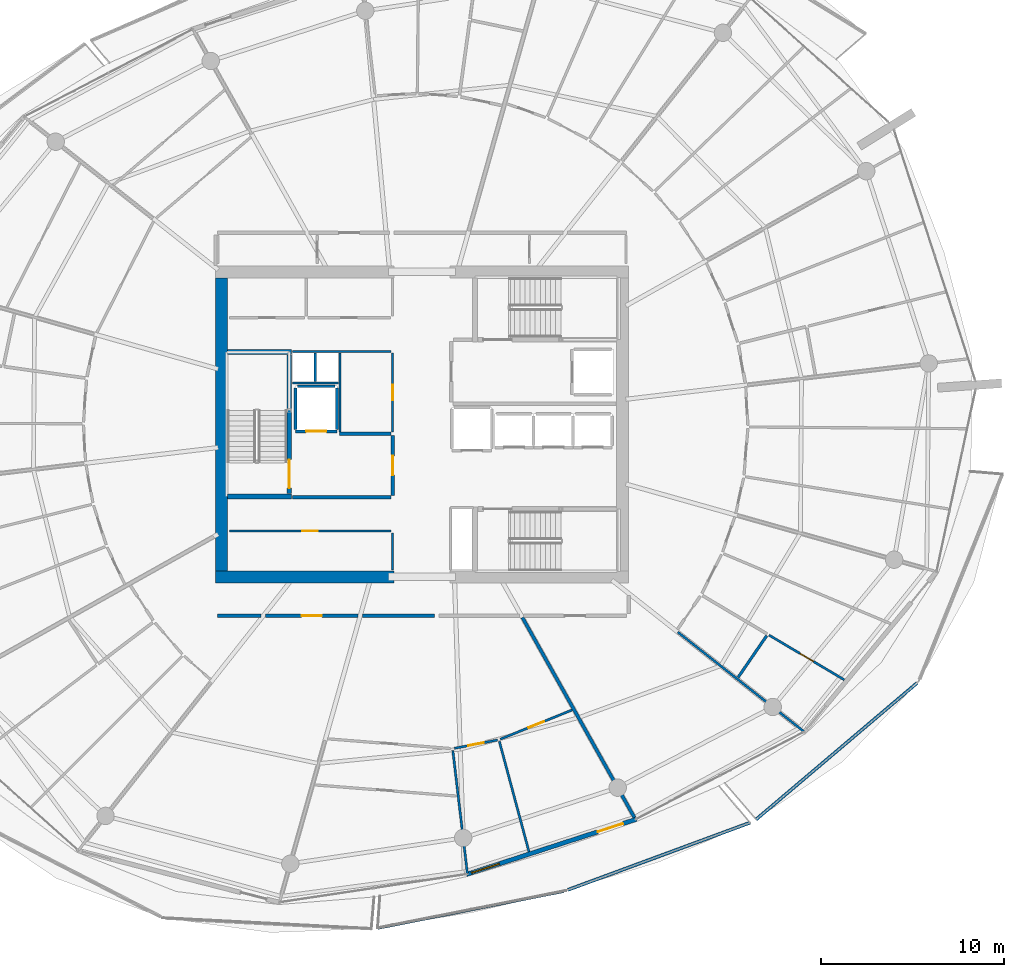
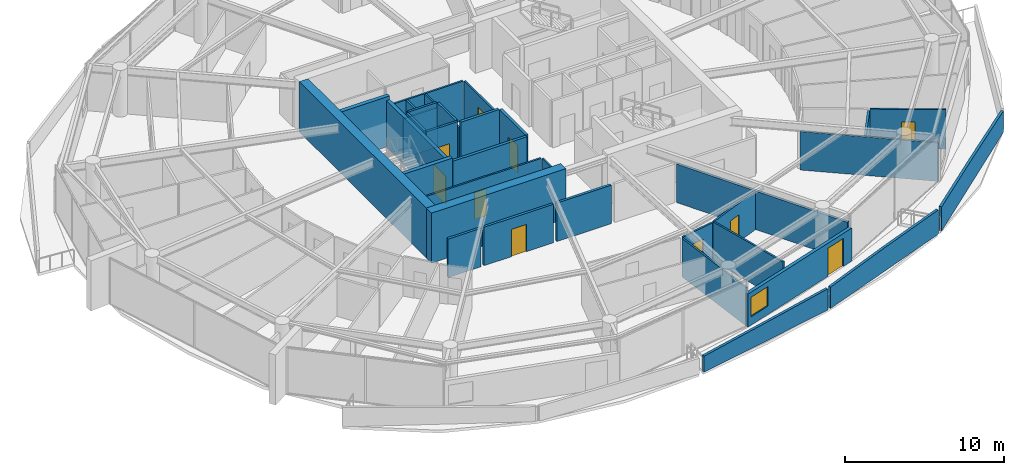
# One storey, part 18 of 30: 34 walls, 10 doors, 1 window, 11 openings.
"""IFC4 building model written with IfcOpenShell, lengths in metres."""

from ifc_helpers import new_model, si_unit, direction, frame, frame_2d, origin, place, context, subcontext, project, spatial, polyline, rectangle, outline, extrude, material, layer, layer_set, type_object, element, fill, save


model = new_model("IFC4")

# Units and contexts
model_context = context("Model", 3, precision=1e-05, world=origin(), true_north=direction((0.0, 1.0)))
body_context = subcontext(model_context, "Body", "Model", "MODEL_VIEW")
ifc_project = project(units=[si_unit("LENGTHUNIT", "METRE"), si_unit("AREAUNIT", "SQUARE_METRE"), si_unit("VOLUMEUNIT", "CUBIC_METRE"), si_unit("PLANEANGLEUNIT", "RADIAN"), si_unit("MASSUNIT", "GRAM", prefix="KILO")], contexts=[model_context])

# Site, building, storey
site_placement = place(None, origin())
site = spatial("IfcSite", under=ifc_project, at=site_placement, CompositionType="ELEMENT")
building_placement = place(site_placement, origin())
building = spatial("IfcBuilding", under=site, at=building_placement, Name="Kazma Halo Residences", CompositionType="ELEMENT")
storey_placement = place(building_placement, frame((0.0, 0.0, 255.949951171875)))
storey = spatial("IfcBuildingStorey", under=building, at=storey_placement, Name="L64", CompositionType="ELEMENT", Elevation=255.949951171875)

# Walls
ifc_material_1 = material(Name="White Concrete C50/60 Balustrade", Category="concrete")
ifc_layer_1 = layer(ifc_material_1, 0.179931640625)
ifc_layer_set_1 = layer_set([ifc_layer_1], Name="White Concrete C50/60 Balustrade")
wall_type_1 = type_object("IfcWallType", Name="WL-BAL-WAVE-180", PredefinedType="PARAPET", material=ifc_layer_set_1)
wall_1_placement = place(storey_placement, frame((46.005615234375, 14.513916015625, 0.0), z_axis=(0.0, 0.0, 1.0), x_axis=(0.980919619001, 0.194413736807, 0.0)))
element("IfcWall", 1, at=wall_1_placement, inside=storey, type_object=wall_type_1, Name="L64 white wave balustrade wall SSE.1", PredefinedType="PARAPET", context=body_context, shape_type="SweptSolid", body=[
    extrude(outline(polyline([(0.0, 0.0), (10.34375, 0.0), (10.34375, 1.632080078125), (5.171875, 1.41796875), (0.0, 1.233154296875), (0.0, 0.0)])), frame((0.0, 0.08984375, 0.0), z_axis=(0.0, -1.0, 0.0), x_axis=(1.0, 0.0, 0.0)), (0.0, 0.0, 1.0), 0.179931640625),
])
wall_2_placement = place(storey_placement, frame((56.38232421875, 16.589599609375, 0.0), z_axis=(0.0, 0.0, 1.0), x_axis=(0.938191788678, 0.346115829828, 0.0)))
element("IfcWall", 2, at=wall_2_placement, inside=storey, type_object=wall_type_1, Name="L64 white wave balustrade wall SSE.2", PredefinedType="PARAPET", context=body_context, shape_type="SweptSolid", body=[
    extrude(outline(polyline([(0.0, 0.0), (10.61083984375, 0.0), (10.61083984375, 1.860107421875), (5.305419921875, 1.798095703125), (0.0, 1.632080078125), (0.0, 0.0)])), frame((0.0, 0.08984375, 0.0), z_axis=(0.0, -1.0, 0.0), x_axis=(1.0, 0.0, 0.0)), (0.0, 0.0, 1.0), 0.179931640625),
])
wall_3_placement = place(storey_placement, frame((66.65234375, 20.428955078125, 0.0), z_axis=(0.0, 0.0, 1.0), x_axis=(0.762735629532, 0.646710413896, 0.0)))
element("IfcWall", 3, at=wall_3_placement, inside=storey, type_object=wall_type_1, Name="L64 white wave balustrade wall SE.1", PredefinedType="PARAPET", context=body_context, shape_type="SweptSolid", body=[
    extrude(outline(polyline([(0.0, 0.0), (11.53515625, 0.0), (11.53515625, 1.632080078125), (5.767578125, 1.798095703125), (0.0, 1.860107421875), (0.0, 0.0)])), frame((0.0, 0.08984375, 0.0), z_axis=(0.0, -1.0, 0.0), x_axis=(1.0, 0.0, 0.0)), (0.0, 0.0, 1.0), 0.179931640625),
])
ifc_material_2 = material(Name="Concrete C60/75", Category="concrete")
ifc_layer_2 = layer(ifc_material_2, 0.64990234375)
ifc_layer_set_2 = layer_set([ifc_layer_2], Name="Concrete C60/75")
wall_type_2 = type_object("IfcWallType", Name="WL-CORE-650", PredefinedType="SHEAR", material=ifc_layer_set_2)
wall_4_placement = place(storey_placement, frame((37.14990234375, 33.675048828125, 0.0), z_axis=(0.0, 0.0, 1.0), x_axis=(1.0, 0.0, 0.0)))
element("IfcWall", 4, at=wall_4_placement, inside=storey, type_object=wall_type_2, Name="L64 central core shear wall SW", PredefinedType="SHEAR", context=body_context, shape_type="SweptSolid", body=[
    extrude(rectangle(XDim=9.75, YDim=0.64990234375, at=frame_2d((4.875, 0.0))), origin(), (0.0, 0.0, 1.0), 3.85009765625),
])
wall_5_placement = place(storey_placement, frame((37.47509765625, 34.0, 0.0), z_axis=(0.0, 0.0, 1.0), x_axis=(0.0, 1.0, 0.0)))
element("IfcWall", 5, at=wall_5_placement, inside=storey, type_object=wall_type_2, Name="L64 central core shear wall W", PredefinedType="SHEAR", context=body_context, shape_type="SweptSolid", body=[
    extrude(rectangle(XDim=16.0, YDim=0.64990234375, at=frame_2d((8.0, 0.0))), origin(), (0.0, 0.0, 1.0), 3.85009765625),
])
ifc_layer_3 = layer(ifc_material_2, 0.280029296875)
ifc_layer_set_3 = layer_set([ifc_layer_3], Name="Concrete C60/75")
wall_type_3 = type_object("IfcWallType", Name="WL-CORE-ST-280", PredefinedType="SHEAR", material=ifc_layer_set_3)
for number, where, z_axis, x_axis, name in (
    (6, (37.800048828125, 38.06005859375, 0.0), (0.0, 0.0, 1.0), (1.0, 0.0, 0.0), "L64 stairwell bearing wall ST01-S"),
    (7, (37.800048828125, 45.93994140625, 0.0), (0.0, 0.0, 1.0), (1.0, 0.0, 0.0), "L64 stairwell bearing wall ST01-N"),
):
    element("IfcWall", number, at=place(storey_placement, frame(where, z_axis=z_axis, x_axis=x_axis)), inside=storey, type_object=wall_type_3, Name=name, PredefinedType="SHEAR", context=body_context, shape_type="SweptSolid", body=[
        extrude(rectangle(XDim=3.5, YDim=0.280029296875, at=frame_2d((1.75, 0.0))), origin(), (0.0, 0.0, 1.0), 3.85009765625),
    ])
ifc_material_3 = material(Name="Acoustic Twin-Stud Gypsum")
ifc_layer_4 = layer(ifc_material_3, 0.179931640625)
ifc_layer_set_4 = layer_set([ifc_layer_4], Name="Acoustic Twin-Stud Gypsum")
wall_type_4 = type_object("IfcWallType", Name="WL-DEM-180", PredefinedType="PARTITIONING", material=ifc_layer_set_4)
wall_6_placement = place(storey_placement, frame((53.906005859375, 31.4541015625, 0.0), z_axis=(0.0, 0.0, 1.0), x_axis=(0.48862654941, -0.872493034477, 0.0)))
element("IfcWall", 8, at=wall_6_placement, inside=storey, type_object=wall_type_4, Name="L64 apartment demising radial wall 12", PredefinedType="PARTITIONING", context=body_context, shape_type="SweptSolid", body=[
    extrude(rectangle(XDim=12.507568359375, YDim=0.179931640625, at=frame_2d((6.25390625, 0.0))), origin(), (0.0, 0.0, 1.0), 2.95703125),
])

# Wall, opening, door
wall_7_placement = place(storey_placement, frame((39.8818359375, 31.550048828125, 0.0), z_axis=(0.0, 0.0, 1.0), x_axis=(1.0, 0.0, 0.0)))
wall_7 = element("IfcWall", 9, at=wall_7_placement, inside=storey, type_object=wall_type_4, Name="L64 Apartment 2 entrance corridor wall", PredefinedType="PARTITIONING", context=body_context, shape_type="SweptSolid", body=[
    extrude(rectangle(XDim=5.051025390625, YDim=0.179931640625, at=frame_2d((2.525390625, 0.0))), origin(), (0.0, 0.0, 1.0), 2.95703125),
])
opening_1_placement = place(wall_7_placement, frame((1.975341796875, 0.0, 0.0)))
opening_1 = element("IfcOpeningElement", 10, at=opening_1_placement, cuts=wall_7, Name="Opening DA-1100", PredefinedType="OPENING", context=body_context, shape_type="SweptSolid", body=[
    extrude(rectangle(XDim=1.10009765625, YDim=2.10009765625, at=frame_2d((0.550048828125, 1.050048828125))), frame((0.0, 0.099853515625, 0.0), z_axis=(0.0, -1.0, 0.0), x_axis=(1.0, 0.0, 0.0)), (0.0, 0.0, 1.0), 0.199951171875),
])
ifc_material_4 = material(Name="Acoustic Walnut Fire Leaf")
door_type_1 = type_object("IfcDoorType", Name="DR-FD60-1100", OperationType="NOTDEFINED", PredefinedType="DOOR", material=ifc_material_4)
door_1_placement = place(opening_1_placement, origin())
door_1 = element("IfcDoor", 11, at=door_1_placement, inside=storey, type_object=door_type_1, Name="L64 Apartment 2 entrance fire door", OperationType="SINGLE_SWING_LEFT", OverallHeight=2.10009765625, OverallWidth=1.10009765625, PredefinedType="DOOR", context=body_context, shape_type="SweptSolid", body=[
    extrude(rectangle(XDim=1.10009765625, YDim=2.10009765625, at=frame_2d((0.550048828125, 1.050048828125))), frame((0.0, 0.02490234375, 0.0), z_axis=(0.0, -1.0, 0.0), x_axis=(1.0, 0.0, 0.0)), (0.0, 0.0, 1.0), 0.050048828125),
])
fill(opening_1, door_1)

# Walls
wall_8_placement = place(storey_placement, frame((37.27001953125, 31.550048828125, 0.0), z_axis=(0.0, 0.0, 1.0), x_axis=(1.0, 0.0, 0.0)))
element("IfcWall", 12, at=wall_8_placement, inside=storey, type_object=wall_type_4, Name="L64 Apartment 2 inner wall 8", PredefinedType="PARTITIONING", context=body_context, shape_type="SweptSolid", body=[
    extrude(rectangle(XDim=2.371826171875, YDim=0.179931640625, at=frame_2d((1.18603515625, 0.0))), origin(), (0.0, 0.0, 1.0), 2.95703125),
])
wall_9_placement = place(storey_placement, frame((45.1728515625, 31.550048828125, 0.0), z_axis=(0.0, 0.0, 1.0), x_axis=(1.0, 0.0, 0.0)))
element("IfcWall", 13, at=wall_9_placement, inside=storey, type_object=wall_type_4, Name="L64 Apartment 2 inner wall 10", PredefinedType="PARTITIONING", context=body_context, shape_type="SweptSolid", body=[
    extrude(rectangle(XDim=3.94384765625, YDim=0.179931640625, at=frame_2d((1.971923828125, 0.0))), origin(), (0.0, 0.0, 1.0), 2.95703125),
])

# Wall, openings, door, window
ifc_material_5 = material(Name="Insulated Pale-Metal Composite Wall")
ifc_layer_5 = layer(ifc_material_5, 0.239990234375)
ifc_layer_set_5 = layer_set([ifc_layer_5], Name="Insulated Pale-Metal Composite Wall")
wall_type_5 = type_object("IfcWallType", Name="WL-EXT-HOST-240", PredefinedType="SOLIDWALL", material=ifc_layer_set_5)
wall_10_placement = place(storey_placement, frame((50.85791015625, 17.436279296875, 0.0), z_axis=(0.0, 0.0, 1.0), x_axis=(0.951055974609, 0.309018661507, 0.0)))
wall_10 = element("IfcWall", 14, at=wall_10_placement, inside=storey, type_object=wall_type_5, Name="L64 exterior terrace-access wall B12", PredefinedType="SOLIDWALL", context=body_context, shape_type="SweptSolid", body=[
    extrude(rectangle(XDim=9.745361328125, YDim=0.239990234375, at=frame_2d((4.87255859375, 0.0))), origin(), (0.0, 0.0, 1.0), 2.5400390625),
])
opening_2_placement = place(wall_10_placement, frame((7.525390625, 0.0, 0.0)))
opening_2 = element("IfcOpeningElement", 15, at=opening_2_placement, cuts=wall_10, Name="Opening DTR-1600", PredefinedType="OPENING", context=body_context, shape_type="SweptSolid", body=[
    extrude(rectangle(XDim=1.449951171875, YDim=2.14990234375, at=frame_2d((0.72509765625, 1.074951171875))), frame((0.0, 0.1298828125, 0.0), z_axis=(0.0, -1.0, 0.0), x_axis=(1.0, 0.0, 0.0)), (0.0, 0.0, 1.0), 0.260009765625),
])
opening_3_placement = place(wall_10_placement, frame((0.280029296875, 0.0, 0.64990234375)))
opening_3 = element("IfcOpeningElement", 16, at=opening_3_placement, cuts=wall_10, Name="Opening W-1800", PredefinedType="OPENING", context=body_context, shape_type="SweptSolid", body=[
    extrude(rectangle(XDim=1.60009765625, YDim=1.5, at=frame_2d((0.800048828125, 0.75))), frame((0.0, 0.1298828125, 0.0), z_axis=(0.0, -1.0, 0.0), x_axis=(1.0, 0.0, 0.0)), (0.0, 0.0, 1.0), 0.260009765625),
])
ifc_material_6 = material(Name="Aluminium AW-6063 T6 Double-Glazed Terrace Door", Category="aluminium")
door_type_2 = type_object("IfcDoorType", Name="DR-EXT-TERR-1600", OperationType="NOTDEFINED", PredefinedType="DOOR", material=ifc_material_6)
door_2_placement = place(opening_2_placement, origin())
door_2 = element("IfcDoor", 17, at=door_2_placement, inside=storey, type_object=door_type_2, Name="L64 B12 balcony terrace door", OperationType="DOUBLE_DOOR_SLIDING", OverallHeight=2.14990234375, OverallWidth=1.449951171875, PredefinedType="DOOR", context=body_context, shape_type="SweptSolid", body=[
    extrude(rectangle(XDim=1.449951171875, YDim=2.14990234375, at=frame_2d((0.72509765625, 1.074951171875))), frame((0.0, 0.02490234375, 0.0), z_axis=(0.0, -1.0, 0.0), x_axis=(1.0, 0.0, 0.0)), (0.0, 0.0, 1.0), 0.050048828125),
])
fill(opening_2, door_2)
ifc_material_7 = material(Name="Clear Triple-Silver Low-E Glass in Aluminium AW-6063 T6 Frame", Category="aluminium")
window_type = type_object("IfcWindowType", Name="WIN-RES-1800", PartitioningType="DOUBLE_PANEL_VERTICAL", PredefinedType="WINDOW", material=ifc_material_7)
window_placement = place(opening_3_placement, origin())
window = element("IfcWindow", 18, at=window_placement, inside=storey, type_object=window_type, Name="L64 B12 apartment window", OverallHeight=1.5, OverallWidth=1.60009765625, PartitioningType="SINGLE_PANEL", PredefinedType="WINDOW", context=body_context, shape_type="SweptSolid", body=[
    extrude(rectangle(XDim=1.60009765625, YDim=1.5, at=frame_2d((0.800048828125, 0.75))), frame((0.0, 0.030029296875, 0.0), z_axis=(0.0, -1.0, 0.0), x_axis=(1.0, 0.0, 0.0)), (0.0, 0.0, 1.0), 0.06005859375),
])
fill(opening_3, window)

# Wall, opening, door
ifc_material_8 = material(Name="Fire-Rated Blockwork Masonry", Category="masonry")
ifc_layer_6 = layer(ifc_material_8, 0.199951171875)
ifc_layer_set_6 = layer_set([ifc_layer_6], Name="Fire-Rated Blockwork Masonry")
wall_type_6 = type_object("IfcWallType", Name="WL-FLB-200", PredefinedType="PARTITIONING", material=ifc_layer_set_6)
wall_11_placement = place(storey_placement, frame((43.780029296875, 41.6201171875, 0.0), z_axis=(0.0, 0.0, 1.0), x_axis=(-1.0, 0.0, 0.0)))
wall_11 = element("IfcWall", 19, at=wall_11_placement, inside=storey, type_object=wall_type_6, Name="L64 lift shaft FL-01 front wall", PredefinedType="PARTITIONING", context=body_context, shape_type="SweptSolid", body=[
    extrude(rectangle(XDim=2.260009765625, YDim=0.159912109375, at=frame_2d((1.1298828125, 0.0))), origin(), (0.0, 0.0, 1.0), 3.590087890625),
])
opening_4_placement = place(wall_11_placement, frame((0.580078125, 0.0, 0.0)))
opening_4 = element("IfcOpeningElement", 20, at=opening_4_placement, cuts=wall_11, Name="Opening LD-FL-01", PredefinedType="OPENING", context=body_context, shape_type="SweptSolid", body=[
    extrude(rectangle(XDim=1.10009765625, YDim=2.10009765625, at=frame_2d((0.550048828125, 1.050048828125))), frame((0.0, 0.08984375, 0.0), z_axis=(0.0, -1.0, 0.0), x_axis=(1.0, 0.0, 0.0)), (0.0, 0.0, 1.0), 0.179931640625),
])
ifc_material_9 = material(Name="Stainless Steel Fire-Rated", Category="steel")
door_type_3 = type_object("IfcDoorType", Name="DR-LIFT-SLD-1100", OperationType="DOUBLE_DOOR_SLIDING", PredefinedType="DOOR", material=ifc_material_9)
door_3_placement = place(opening_4_placement, origin())
door_3 = element("IfcDoor", 21, at=door_3_placement, inside=storey, type_object=door_type_3, Name="L64 lift FL-01 sliding landing door", OperationType="DOUBLE_DOOR_SLIDING", OverallHeight=2.10009765625, OverallWidth=1.10009765625, PredefinedType="DOOR", context=body_context, shape_type="SweptSolid", body=[
    extrude(rectangle(XDim=1.10009765625, YDim=2.10009765625, at=frame_2d((0.550048828125, 1.050048828125))), frame((0.0, 0.02490234375, 0.0), z_axis=(0.0, -1.0, 0.0), x_axis=(1.0, 0.0, 0.0)), (0.0, 0.0, 1.0), 0.050048828125),
])
fill(opening_4, door_3)

# Walls
for number, where, z_axis, x_axis, name in (
    (22, (43.780029296875, 41.719970703125, 0.0), (0.0, 0.0, 1.0), (0.0, 1.0, 0.0), "L64 lift shaft FL-01 side wall E"),
    (23, (41.52001953125, 41.719970703125, 0.0), (0.0, 0.0, 1.0), (0.0, 1.0, 0.0), "L64 lift shaft FL-01 side wall W"),
):
    element("IfcWall", number, at=place(storey_placement, frame(where, z_axis=z_axis, x_axis=x_axis)), inside=storey, type_object=wall_type_6, Name=name, PredefinedType="PARTITIONING", context=body_context, shape_type="SweptSolid", body=[
        extrude(rectangle(XDim=2.260009765625, YDim=0.159912109375, at=frame_2d((1.1298828125, 0.0))), origin(), (0.0, 0.0, 1.0), 3.590087890625),
    ])
wall_12_placement = place(storey_placement, frame((41.6201171875, 44.080078125, 0.0), z_axis=(0.0, 0.0, 1.0), x_axis=(1.0, 0.0, 0.0)))
element("IfcWall", 24, at=wall_12_placement, inside=storey, type_object=wall_type_6, Name="L64 lift shaft FL-01 side wall N", PredefinedType="PARTITIONING", context=body_context, shape_type="SweptSolid", body=[
    extrude(rectangle(XDim=2.059814453125, YDim=0.159912109375, at=frame_2d((1.02978515625, 0.0))), origin(), (0.0, 0.0, 1.0), 3.590087890625),
])
wall_13_placement = place(storey_placement, frame((41.35009765625, 38.02001953125, 0.0), z_axis=(0.0, 0.0, 1.0), x_axis=(1.0, 0.0, 0.0)))
element("IfcWall", 25, at=wall_13_placement, inside=storey, type_object=wall_type_6, Name="L64 west firefighting lobby south smoke wall", PredefinedType="PARTITIONING", context=body_context, shape_type="SweptSolid", body=[
    extrude(rectangle(XDim=5.369873046875, YDim=0.199951171875, at=frame_2d((2.68505859375, 0.0))), origin(), (0.0, 0.0, 1.0), 3.590087890625),
])
wall_14_placement = place(storey_placement, frame((43.919921875, 41.47998046875, 0.0), z_axis=(0.0, 0.0, 1.0), x_axis=(1.0, 0.0, 0.0)))
element("IfcWall", 26, at=wall_14_placement, inside=storey, type_object=wall_type_6, Name="L64 west firefighting lobby north smoke wall", PredefinedType="PARTITIONING", context=body_context, shape_type="SweptSolid", body=[
    extrude(rectangle(XDim=2.800048828125, YDim=0.199951171875, at=frame_2d((1.39990234375, 0.0))), origin(), (0.0, 0.0, 1.0), 3.590087890625),
])

# Wall, opening, door
wall_15_placement = place(storey_placement, frame((46.820068359375, 38.1201171875, 0.0), z_axis=(0.0, 0.0, 1.0), x_axis=(0.0, 1.0, 0.0)))
wall_15 = element("IfcWall", 27, at=wall_15_placement, inside=storey, type_object=wall_type_6, Name="L64 west firefighting lobby smoke wall", PredefinedType="PARTITIONING", context=body_context, shape_type="SweptSolid", body=[
    extrude(rectangle(XDim=3.259765625, YDim=0.199951171875, at=frame_2d((1.6298828125, 0.0))), origin(), (0.0, 0.0, 1.0), 3.590087890625),
])
opening_5_placement = place(wall_15_placement, frame((1.10498046875, 0.0, 0.0)))
opening_5 = element("IfcOpeningElement", 28, at=opening_5_placement, cuts=wall_15, Name="Opening D-FLW", PredefinedType="OPENING", context=body_context, shape_type="SweptSolid", body=[
    extrude(rectangle(XDim=1.050048828125, YDim=2.10009765625, at=frame_2d((0.52490234375, 1.050048828125))), frame((0.0, 0.10986328125, 0.0), z_axis=(0.0, -1.0, 0.0), x_axis=(1.0, 0.0, 0.0)), (0.0, 0.0, 1.0), 0.219970703125),
])
ifc_material_10 = material(Name="Fire-Rated Steel Leaf", Category="steel")
door_type_4 = type_object("IfcDoorType", Name="DR-FD90-1050", OperationType="NOTDEFINED", PredefinedType="DOOR", material=ifc_material_10)
door_4_placement = place(opening_5_placement, origin())
door_4 = element("IfcDoor", 29, at=door_4_placement, inside=storey, type_object=door_type_4, Name="L64 west firefighting lobby smoke door", OperationType="SINGLE_SWING_LEFT", OverallHeight=2.10009765625, OverallWidth=1.050048828125, PredefinedType="DOOR", context=body_context, shape_type="SweptSolid", body=[
    extrude(rectangle(XDim=1.050048828125, YDim=2.10009765625, at=frame_2d((0.52490234375, 1.050048828125))), frame((0.0, 0.02490234375, 0.0), z_axis=(0.0, -1.0, 0.0), x_axis=(1.0, 0.0, 0.0)), (0.0, 0.0, 1.0), 0.050048828125),
])
fill(opening_5, door_4)

# Wall
ifc_material_11 = material(Name="Gypsum Plasterboard Partition")
ifc_layer_7 = layer(ifc_material_11, 0.125)
ifc_layer_set_7 = layer_set([ifc_layer_7], Name="Gypsum Plasterboard Partition")
wall_type_7 = type_object("IfcWallType", Name="WL-PART-125", PredefinedType="PARTITIONING", material=ifc_layer_set_7)
wall_16_placement = place(storey_placement, frame((46.820068359375, 34.050048828125, 0.0), z_axis=(0.0, 0.0, 1.0), x_axis=(0.0, 1.0, 0.0)))
element("IfcWall", 30, at=wall_16_placement, inside=storey, type_object=wall_type_7, Name="L64 reclaimed south east wall", PredefinedType="PARTITIONING", context=body_context, shape_type="SweptSolid", body=[
    extrude(rectangle(XDim=2.030029296875, YDim=0.125, at=frame_2d((1.01513671875, 0.0))), origin(), (0.0, 0.0, 1.0), 3.030029296875),
])

# Wall, opening, door
wall_17_placement = place(storey_placement, frame((37.919921875, 36.179931640625, 0.0), z_axis=(0.0, 0.0, 1.0), x_axis=(1.0, 0.0, 0.0)))
wall_17 = element("IfcWall", 31, at=wall_17_placement, inside=storey, type_object=wall_type_7, Name="L64 reclaimed south front wall", PredefinedType="PARTITIONING", context=body_context, shape_type="SweptSolid", body=[
    extrude(rectangle(XDim=8.800048828125, YDim=0.125, at=frame_2d((4.39990234375, 0.0))), origin(), (0.0, 0.0, 1.0), 3.030029296875),
])
opening_6_placement = place(wall_17_placement, frame((3.97509765625, 0.0, 0.0)))
opening_6 = element("IfcOpeningElement", 32, at=opening_6_placement, cuts=wall_17, Name="Opening DS-850", PredefinedType="OPENING", context=body_context, shape_type="SweptSolid", body=[
    extrude(rectangle(XDim=0.85009765625, YDim=2.06005859375, at=frame_2d((0.425048828125, 1.030029296875))), frame((0.0, 0.072509765625, 0.0), z_axis=(0.0, -1.0, 0.0), x_axis=(1.0, 0.0, 0.0)), (0.0, 0.0, 1.0), 0.14501953125),
])
ifc_material_12 = material(Name="Painted Steel Access Leaf", Category="steel")
door_type_5 = type_object("IfcDoorType", Name="DR-SVC-850", OperationType="NOTDEFINED", PredefinedType="DOOR", material=ifc_material_12)
door_5_placement = place(opening_6_placement, origin())
door_5 = element("IfcDoor", 33, at=door_5_placement, inside=storey, type_object=door_type_5, Name="L64 reclaimed south service door", OperationType="SINGLE_SWING_LEFT", OverallHeight=2.06005859375, OverallWidth=0.85009765625, PredefinedType="DOOR", context=body_context, shape_type="SweptSolid", body=[
    extrude(rectangle(XDim=0.85009765625, YDim=2.06005859375, at=frame_2d((0.425048828125, 1.030029296875))), frame((0.0, 0.02490234375, 0.0), z_axis=(0.0, -1.0, 0.0), x_axis=(1.0, 0.0, 0.0)), (0.0, 0.0, 1.0), 0.050048828125),
])
fill(opening_6, door_5)

# Walls
wall_18_placement = place(storey_placement, frame((41.360107421875, 45.97998046875, 0.0), z_axis=(0.0, 0.0, 1.0), x_axis=(1.0, 0.0, 0.0)))
element("IfcWall", 34, at=wall_18_placement, inside=storey, type_object=wall_type_7, Name="L64 core north riser wall", PredefinedType="PARTITIONING", context=body_context, shape_type="SweptSolid", body=[
    extrude(rectangle(XDim=5.35986328125, YDim=0.125, at=frame_2d((2.679931640625, 0.0))), origin(), (0.0, 0.0, 1.0), 3.030029296875),
])
wall_19_placement = place(storey_placement, frame((41.360107421875, 44.260009765625, 0.0), z_axis=(0.0, 0.0, 1.0), x_axis=(1.0, 0.0, 0.0)))
element("IfcWall", 35, at=wall_19_placement, inside=storey, type_object=wall_type_7, Name="L64 core riser south wall", PredefinedType="PARTITIONING", context=body_context, shape_type="SweptSolid", body=[
    extrude(rectangle(XDim=2.5, YDim=0.125, at=frame_2d((1.25, 0.0))), origin(), (0.0, 0.0, 1.0), 3.030029296875),
])
wall_20_placement = place(storey_placement, frame((42.60009765625, 44.35009765625, 0.0), z_axis=(0.0, 0.0, 1.0), x_axis=(0.0, 1.0, 0.0)))
element("IfcWall", 36, at=wall_20_placement, inside=storey, type_object=wall_type_7, Name="L64 core riser divider wall", PredefinedType="PARTITIONING", context=body_context, shape_type="SweptSolid", body=[
    extrude(rectangle(XDim=1.5498046875, YDim=0.125, at=frame_2d((0.77490234375, 0.0))), origin(), (0.0, 0.0, 1.0), 3.030029296875),
])
wall_21_placement = place(storey_placement, frame((43.949951171875, 41.580078125, 0.0), z_axis=(0.0, 0.0, 1.0), x_axis=(0.0, 1.0, 0.0)))
element("IfcWall", 37, at=wall_21_placement, inside=storey, type_object=wall_type_7, Name="L64 core service west wall", PredefinedType="PARTITIONING", context=body_context, shape_type="SweptSolid", body=[
    extrude(rectangle(XDim=4.31982421875, YDim=0.125, at=frame_2d((2.159912109375, 0.0))), origin(), (0.0, 0.0, 1.0), 3.030029296875),
])

# Wall, opening, door
wall_22_placement = place(storey_placement, frame((46.820068359375, 41.580078125, 0.0), z_axis=(0.0, 0.0, 1.0), x_axis=(0.0, 1.0, 0.0)))
wall_22 = element("IfcWall", 38, at=wall_22_placement, inside=storey, type_object=wall_type_7, Name="L64 core service room east wall", PredefinedType="PARTITIONING", context=body_context, shape_type="SweptSolid", body=[
    extrude(rectangle(XDim=4.2998046875, YDim=0.125, at=frame_2d((2.14990234375, 0.0))), origin(), (0.0, 0.0, 1.0), 3.030029296875),
])
opening_7_placement = place(wall_22_placement, frame((1.72509765625, 0.0, 0.0)))
opening_7 = element("IfcOpeningElement", 39, at=opening_7_placement, cuts=wall_22, Name="Opening DS-850", PredefinedType="OPENING", context=body_context, shape_type="SweptSolid", body=[
    extrude(rectangle(XDim=0.85009765625, YDim=2.06005859375, at=frame_2d((0.425048828125, 1.030029296875))), frame((0.0, 0.072509765625, 0.0), z_axis=(0.0, -1.0, 0.0), x_axis=(1.0, 0.0, 0.0)), (0.0, 0.0, 1.0), 0.14501953125),
])
door_6_placement = place(opening_7_placement, origin())
door_6 = element("IfcDoor", 40, at=door_6_placement, inside=storey, type_object=door_type_5, Name="L64 core service room door", OperationType="SINGLE_SWING_LEFT", OverallHeight=2.06005859375, OverallWidth=0.85009765625, PredefinedType="DOOR", context=body_context, shape_type="SweptSolid", body=[
    extrude(rectangle(XDim=0.85009765625, YDim=2.06005859375, at=frame_2d((0.425048828125, 1.030029296875))), frame((0.0, 0.02490234375, 0.0), z_axis=(0.0, -1.0, 0.0), x_axis=(1.0, 0.0, 0.0)), (0.0, 0.0, 1.0), 0.050048828125),
])
fill(opening_7, door_6)

# Walls
wall_23_placement = place(storey_placement, frame((50.106689453125, 24.2001953125, 0.0), z_axis=(0.0, 0.0, 1.0), x_axis=(0.117552553428, -0.99306666301, 0.0)))
element("IfcWall", 41, at=wall_23_placement, inside=storey, type_object=wall_type_7, Name="L64 Apartment 2 radial partition 11", PredefinedType="PARTITIONING", context=body_context, shape_type="SweptSolid", body=[
    extrude(rectangle(XDim=6.7705078125, YDim=0.125, at=frame_2d((3.38525390625, 0.0))), origin(), (0.0, 0.0, 1.0), 2.95703125),
])
wall_24_placement = place(storey_placement, frame((52.6455078125, 24.698974609375, 0.0), z_axis=(0.0, 0.0, 1.0), x_axis=(0.259313772229, -0.965793128746, 0.0)))
element("IfcWall", 42, at=wall_24_placement, inside=storey, type_object=wall_type_7, Name="L64 Apartment 2 mid-bay wall 11", PredefinedType="PARTITIONING", context=body_context, shape_type="SweptSolid", body=[
    extrude(rectangle(XDim=6.23828125, YDim=0.125, at=frame_2d((3.119140625, 0.0))), origin(), (0.0, 0.0, 1.0), 3.030029296875),
])

# Wall, opening, door
wall_25_placement = place(storey_placement, frame((50.193115234375, 24.318359375, 0.0), z_axis=(0.0, 0.0, 1.0), x_axis=(0.981978792413, 0.188991140667, 0.0)))
wall_25 = element("IfcWall", 43, at=wall_25_placement, inside=storey, type_object=wall_type_7, Name="L64 Apartment 2 North Wine Pantry Store hall wall", PredefinedType="PARTITIONING", context=body_context, shape_type="SweptSolid", body=[
    extrude(rectangle(XDim=2.393798828125, YDim=0.125, at=frame_2d((1.19677734375, 0.0))), origin(), (0.0, 0.0, 1.0), 2.95703125),
])
opening_8_placement = place(wall_25_placement, frame((0.771728515625, 0.0, 0.0)))
opening_8 = element("IfcOpeningElement", 44, at=opening_8_placement, cuts=wall_25, Name="Opening DB-900", PredefinedType="OPENING", context=body_context, shape_type="SweptSolid", body=[
    extrude(rectangle(XDim=0.85009765625, YDim=2.06005859375, at=frame_2d((0.425048828125, 1.030029296875))), frame((0.0, 0.072509765625, 0.0), z_axis=(0.0, -1.0, 0.0), x_axis=(1.0, 0.0, 0.0)), (0.0, 0.0, 1.0), 0.14501953125),
])
ifc_material_13 = material(Name="Moisture-Sealed Timber Leaf", Category="wood")
door_type_6 = type_object("IfcDoorType", Name="DR-BTH-900", OperationType="NOTDEFINED", PredefinedType="DOOR", material=ifc_material_13)
door_7_placement = place(opening_8_placement, origin())
door_7 = element("IfcDoor", 45, at=door_7_placement, inside=storey, type_object=door_type_6, Name="L64 Apartment 2 North Wine Pantry Store door", OperationType="SINGLE_SWING_RIGHT", OverallHeight=2.06005859375, OverallWidth=0.85009765625, PredefinedType="DOOR", context=body_context, shape_type="SweptSolid", body=[
    extrude(rectangle(XDim=0.85009765625, YDim=2.06005859375, at=frame_2d((0.425048828125, 1.030029296875))), frame((0.0, 0.02490234375, 0.0), z_axis=(0.0, -1.0, 0.0), x_axis=(1.0, 0.0, 0.0)), (0.0, 0.0, 1.0), 0.050048828125),
])
fill(opening_8, door_7)

wall_26_placement = place(storey_placement, frame((52.6962890625, 24.81591796875, 0.0), z_axis=(0.0, 0.0, 1.0), x_axis=(0.926276631798, 0.376844266754, 0.0)))
wall_26 = element("IfcWall", 46, at=wall_26_placement, inside=storey, type_object=wall_type_7, Name="L64 Apartment 2 South Formal Dining Room hall wall", PredefinedType="PARTITIONING", context=body_context, shape_type="SweptSolid", body=[
    extrude(rectangle(XDim=4.232421875, YDim=0.125, at=frame_2d((2.1162109375, 0.0))), origin(), (0.0, 0.0, 1.0), 2.95703125),
])
opening_9_placement = place(wall_26_placement, frame((1.666259765625, 0.0, 0.0)))
opening_9 = element("IfcOpeningElement", 47, at=opening_9_placement, cuts=wall_26, Name="Opening DI-950", PredefinedType="OPENING", context=body_context, shape_type="SweptSolid", body=[
    extrude(rectangle(XDim=0.89990234375, YDim=2.080078125, at=frame_2d((0.449951171875, 1.0400390625))), frame((0.0, 0.072509765625, 0.0), z_axis=(0.0, -1.0, 0.0), x_axis=(1.0, 0.0, 0.0)), (0.0, 0.0, 1.0), 0.14501953125),
])
ifc_material_14 = material(Name="Timber Veneer Flush Leaf", Category="wood")
door_type_7 = type_object("IfcDoorType", Name="DR-INT-950", OperationType="NOTDEFINED", PredefinedType="DOOR", material=ifc_material_14)
door_8_placement = place(opening_9_placement, origin())
door_8 = element("IfcDoor", 48, at=door_8_placement, inside=storey, type_object=door_type_7, Name="L64 Apartment 2 South Formal Dining Room door", OperationType="SINGLE_SWING_LEFT", OverallHeight=2.080078125, OverallWidth=0.89990234375, PredefinedType="DOOR", context=body_context, shape_type="SweptSolid", body=[
    extrude(rectangle(XDim=0.89990234375, YDim=2.080078125, at=frame_2d((0.449951171875, 1.0400390625))), frame((0.0, 0.02490234375, 0.0), z_axis=(0.0, -1.0, 0.0), x_axis=(1.0, 0.0, 0.0)), (0.0, 0.0, 1.0), 0.050048828125),
])
fill(opening_9, door_8)

# Wall
wall_27_placement = place(storey_placement, frame((62.384521484375, 30.66015625, 0.0), z_axis=(0.0, 0.0, 1.0), x_axis=(0.785323056309, -0.619086179162, 0.0)))
element("IfcWall", 49, at=wall_27_placement, inside=storey, type_object=wall_type_7, Name="L64 Apartment 3 radial partition 13", PredefinedType="PARTITIONING", context=body_context, shape_type="SweptSolid", body=[
    extrude(rectangle(XDim=8.767822265625, YDim=0.125, at=frame_2d((4.3837890625, 0.0))), origin(), (0.0, 0.0, 1.0), 2.95703125),
])

# Wall, opening, door
wall_28_placement = place(storey_placement, frame((67.367431640625, 30.49462890625, 0.0), z_axis=(0.0, 0.0, 1.0), x_axis=(0.859757948581, -0.510701742557, 0.0)))
wall_28 = element("IfcWall", 50, at=wall_28_placement, inside=storey, type_object=wall_type_7, Name="L64 Apartment 3 Household Store Room partition wall", PredefinedType="PARTITIONING", context=body_context, shape_type="SweptSolid", body=[
    extrude(rectangle(XDim=4.775634765625, YDim=0.125, at=frame_2d((2.3876953125, 0.0))), origin(), (0.0, 0.0, 1.0), 3.030029296875),
])
opening_10_placement = place(wall_28_placement, frame((1.962890625, 0.0, 0.0)))
opening_10 = element("IfcOpeningElement", 51, at=opening_10_placement, cuts=wall_28, Name="Opening DB-900", PredefinedType="OPENING", context=body_context, shape_type="SweptSolid", body=[
    extrude(rectangle(XDim=0.85009765625, YDim=2.06005859375, at=frame_2d((0.425048828125, 1.030029296875))), frame((0.0, 0.072509765625, 0.0), z_axis=(0.0, -1.0, 0.0), x_axis=(1.0, 0.0, 0.0)), (0.0, 0.0, 1.0), 0.14501953125),
])
door_9_placement = place(opening_10_placement, origin())
door_9 = element("IfcDoor", 52, at=door_9_placement, inside=storey, type_object=door_type_6, Name="L64 Apartment 3 Household Store Room door", OperationType="SINGLE_SWING_LEFT", OverallHeight=2.06005859375, OverallWidth=0.85009765625, PredefinedType="DOOR", context=body_context, shape_type="SweptSolid", body=[
    extrude(rectangle(XDim=0.85009765625, YDim=2.06005859375, at=frame_2d((0.425048828125, 1.030029296875))), frame((0.0, 0.02490234375, 0.0), z_axis=(0.0, -1.0, 0.0), x_axis=(1.0, 0.0, 0.0)), (0.0, 0.0, 1.0), 0.050048828125),
])
fill(opening_10, door_9)

ifc_material_15 = material(Name="Concrete C50/60", Category="concrete")
ifc_layer_8 = layer(ifc_material_15, 0.25)
ifc_layer_set_8 = layer_set([ifc_layer_8], Name="Concrete C50/60")
wall_type_8 = type_object("IfcWallType", Name="WL-SHF-250", PredefinedType="SOLIDWALL", material=ifc_layer_set_8)
wall_29_placement = place(storey_placement, frame((41.179931640625, 38.219970703125, 0.0), z_axis=(0.0, 0.0, 1.0), x_axis=(0.0, 1.0, 0.0)))
wall_29 = element("IfcWall", 53, at=wall_29_placement, inside=storey, type_object=wall_type_8, Name="L64 exit stair ST-01 enclosure wall", PredefinedType="SOLIDWALL", context=body_context, shape_type="SweptSolid", body=[
    extrude(rectangle(XDim=7.56005859375, YDim=0.25, at=frame_2d((3.780029296875, 0.0))), origin(), (0.0, 0.0, 1.0), 3.590087890625),
])
opening_11_placement = place(wall_29_placement, frame((0.300048828125, 0.0, 0.0)))
opening_11 = element("IfcOpeningElement", 54, at=opening_11_placement, cuts=wall_29, Name="Opening D-ST1", PredefinedType="OPENING", context=body_context, shape_type="SweptSolid", body=[
    extrude(rectangle(XDim=1.550048828125, YDim=2.14990234375, at=frame_2d((0.77490234375, 1.074951171875))), frame((0.0, 0.135009765625, 0.0), z_axis=(0.0, -1.0, 0.0), x_axis=(1.0, 0.0, 0.0)), (0.0, 0.0, 1.0), 0.27001953125),
])
ifc_material_16 = material(Name="Fire-Rated Double Steel Leaf", Category="steel")
door_type_8 = type_object("IfcDoorType", Name="DR-FD90-1550", OperationType="NOTDEFINED", PredefinedType="DOOR", material=ifc_material_16)
door_10_placement = place(opening_11_placement, origin())
door_10 = element("IfcDoor", 55, at=door_10_placement, inside=storey, type_object=door_type_8, Name="L64 exit stair ST-01 fire door", OperationType="DOUBLE_DOOR_SINGLE_SWING", OverallHeight=2.14990234375, OverallWidth=1.550048828125, PredefinedType="DOOR", context=body_context, shape_type="SweptSolid", body=[
    extrude(rectangle(XDim=1.550048828125, YDim=2.14990234375, at=frame_2d((0.77490234375, 1.074951171875))), frame((0.0, 0.02490234375, 0.0), z_axis=(0.0, -1.0, 0.0), x_axis=(1.0, 0.0, 0.0)), (0.0, 0.0, 1.0), 0.050048828125),
])
fill(opening_11, door_10)

# Wall
ifc_material_17 = material(Name="Moisture-Resistant Gypsum")
ifc_layer_9 = layer(ifc_material_17, 0.14990234375)
ifc_layer_set_9 = layer_set([ifc_layer_9], Name="Moisture-Resistant Gypsum")
wall_type_9 = type_object("IfcWallType", Name="WL-WET-150", PredefinedType="PARTITIONING", material=ifc_layer_set_9)
wall_30_placement = place(storey_placement, frame((65.6767578125, 28.19189453125, 0.0), z_axis=(0.0, 0.0, 1.0), x_axis=(0.566142011553, 0.824307723338, 0.0)))
element("IfcWall", 56, at=wall_30_placement, inside=storey, type_object=wall_type_9, Name="L64 Apartment 3 Guest Bathroom back wall", PredefinedType="PARTITIONING", context=body_context, shape_type="SweptSolid", body=[
    extrude(rectangle(XDim=2.759521484375, YDim=0.14990234375, at=frame_2d((1.3798828125, 0.0))), origin(), (0.0, 0.0, 1.0), 2.95703125),
])

save(model, "model.ifc")
